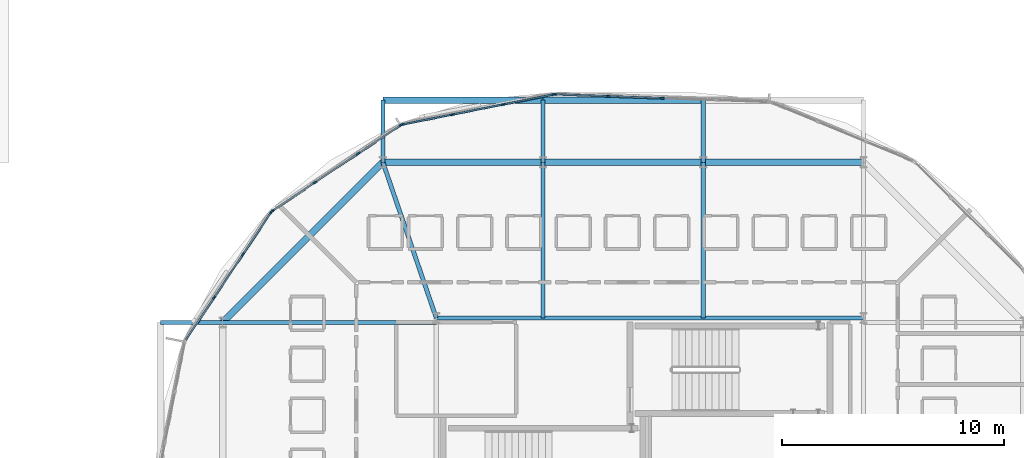
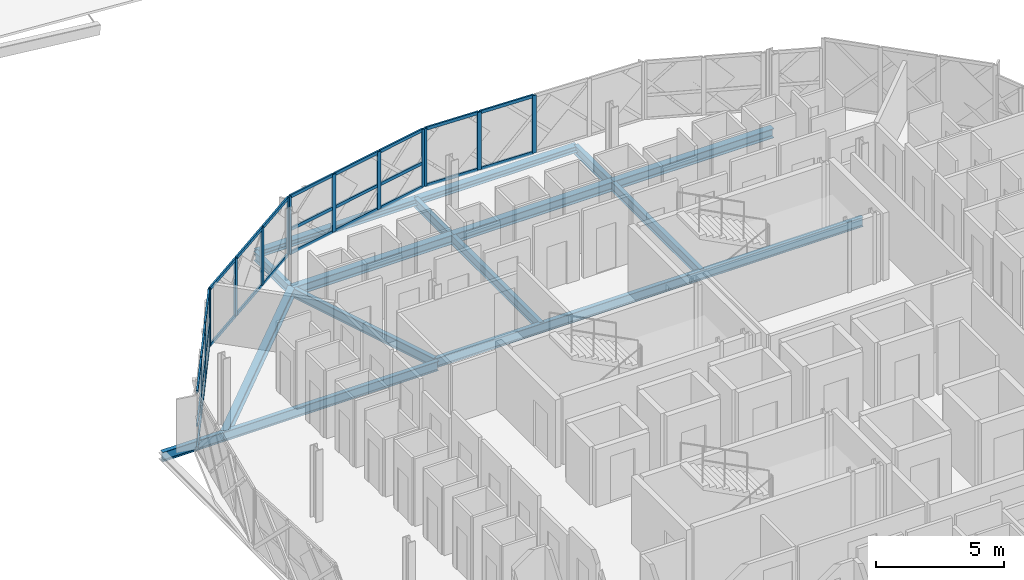
# One storey, part 13 of 40: 42 members, 15 beams, 4 elements without a shape of their own.
"""IFC4 building model written with IfcOpenShell, lengths in metres."""

from ifc_helpers import new_model, si_unit, direction, frame, origin, origin_2d, place, context, subcontext, project, spatial, rectangle, i_section, extrude, material, layer, layer_set, material_profile, profile_set, type_object, element, aggregate, save


model = new_model("IFC4")

# Units and contexts
model_context = context("Model", 3, precision=1e-05, world=origin(), true_north=direction((0.0, 1.0)))
body_context = subcontext(model_context, "Body", "Model", "MODEL_VIEW")
ifc_project = project(units=[si_unit("LENGTHUNIT", "METRE"), si_unit("AREAUNIT", "SQUARE_METRE"), si_unit("VOLUMEUNIT", "CUBIC_METRE"), si_unit("PLANEANGLEUNIT", "RADIAN"), si_unit("MASSUNIT", "GRAM", prefix="KILO")], contexts=[model_context])

# Site, building, storey
site_placement = place(None, origin())
site = spatial("IfcSite", under=ifc_project, at=site_placement, CompositionType="ELEMENT")
building_placement = place(site_placement, origin())
building = spatial("IfcBuilding", under=site, at=building_placement, Name="Zevrakil Square Congress Hotel", CompositionType="ELEMENT")
storey_placement = place(building_placement, frame((0.0, 0.0, 18.10009765625)))
storey = spatial("IfcBuildingStorey", under=building, at=storey_placement, Name="L05", CompositionType="ELEMENT", Elevation=18.10009765625)

# Beams
ifc_material_1 = material(Name="Steel S355", Category="steel")
ifc_material_profile_1 = material_profile(ifc_material_1, i_section(OverallWidth=0.300048828125, OverallDepth=0.43994140625, WebThickness=0.011474609375, FlangeThickness=0.02099609375, FilletRadius=0.027099609375, at=origin_2d()), Name="HEA 450")
ifc_profile_set_1 = profile_set([ifc_material_profile_1], Name="Steel S355")
beam_type_1 = type_object("IfcBeamType", Name="BM-HEA450", PredefinedType="BEAM", material=ifc_profile_set_1)
for number, where, z_axis, x_axis, name in (
    (1, (156.0, 45.60009765625, -0.405029296875), (-1.0, 0.0, 0.0), (0.0, -1.0, 0.0), "L05 drum ring girder DRB-09"),
    (2, (148.800048828125, 45.60009765625, -0.405029296875), (-1.0, 0.0, 0.0), (0.0, -1.0, 0.0), "L05 drum ring girder DRB-10"),
):
    element("IfcBeam", number, at=place(storey_placement, frame(where, z_axis=z_axis, x_axis=x_axis)), inside=storey, type_object=beam_type_1, Name=name, PredefinedType="BEAM", context=body_context, shape_type="SweptSolid", body=[
        extrude(i_section(OverallWidth=0.300048828125, OverallDepth=0.43994140625, WebThickness=0.011474609375, FlangeThickness=0.02099609375, FilletRadius=0.027099609375, at=origin_2d()), origin(), (0.0, 0.0, 1.0), 7.199951171875),
    ])
beam_1_placement = place(storey_placement, frame((141.60009765625, 45.60009765625, -0.405029296875), z_axis=(-1.0, 0.0, 0.0), x_axis=(0.0, -1.0, 0.0)))
element("IfcBeam", 3, at=beam_1_placement, inside=storey, type_object=beam_type_1, Name="L05 drum ring girder DRB-11", PredefinedType="BEAM", context=body_context, shape_type="SweptSolid", body=[
    extrude(i_section(OverallWidth=0.300048828125, OverallDepth=0.43994140625, WebThickness=0.011474609375, FlangeThickness=0.02099609375, FilletRadius=0.027099609375, at=origin_2d()), origin(), (0.0, 0.0, 1.0), 7.2001953125),
])
beam_2_placement = place(storey_placement, frame((134.39990234375, 45.60009765625, -0.405029296875), z_axis=(-0.70709479277, -0.7071187694, 0.0), x_axis=(0.7071187694, -0.70709479277, 0.0)))
element("IfcBeam", 4, at=beam_2_placement, inside=storey, type_object=beam_type_1, Name="L05 drum ring girder DRB-12", PredefinedType="BEAM", context=body_context, shape_type="SweptSolid", body=[
    extrude(i_section(OverallWidth=0.300048828125, OverallDepth=0.43994140625, WebThickness=0.011474609375, FlangeThickness=0.02099609375, FilletRadius=0.027099609375, at=origin_2d()), origin(), (0.0, 0.0, 1.0), 10.182373046875),
])
ifc_material_2 = material(Name="Steel S355", Category="steel")
ifc_material_profile_2 = material_profile(ifc_material_2, i_section(OverallWidth=0.18994140625, OverallDepth=0.449951171875, WebThickness=0.009521484375, FlangeThickness=0.0146484375, FilletRadius=0.02099609375, at=origin_2d()), Name="IPE 450")
ifc_profile_set_2 = profile_set([ifc_material_profile_2], Name="Steel S355")
beam_type_2 = type_object("IfcBeamType", Name="BM-IPE450", PredefinedType="BEAM", material=ifc_profile_set_2)
beam_3_placement = place(storey_placement, frame((156.0, 38.60009765625, -0.41015625), z_axis=(-1.0, 0.0, 0.0), x_axis=(0.0, -1.0, 0.0)))
element("IfcBeam", 5, at=beam_3_placement, inside=storey, type_object=beam_type_2, Name="L05 drum core perimeter tie beam DCB-03", PredefinedType="BEAM", context=body_context, shape_type="SweptSolid", body=[
    extrude(i_section(OverallWidth=0.18994140625, OverallDepth=0.449951171875, WebThickness=0.009521484375, FlangeThickness=0.0146484375, FilletRadius=0.02099609375, at=origin_2d()), origin(), (0.0, 0.0, 1.0), 19.199951171875),
])
beam_4_placement = place(storey_placement, frame((148.800048828125, 38.60009765625, -0.41015625), z_axis=(0.0, 1.0, 0.0), x_axis=(-1.0, 0.0, 0.0)))
element("IfcBeam", 6, at=beam_4_placement, inside=storey, type_object=beam_type_2, Name="L05 drum radial floor beam DRI-10", PredefinedType="BEAM", context=body_context, shape_type="SweptSolid", body=[
    extrude(i_section(OverallWidth=0.18994140625, OverallDepth=0.449951171875, WebThickness=0.009521484375, FlangeThickness=0.0146484375, FilletRadius=0.02099609375, at=origin_2d()), origin(), (0.0, 0.0, 1.0), 7.0),
])
beam_5_placement = place(storey_placement, frame((148.800048828125, 45.60009765625, -0.41015625), z_axis=(0.0, 1.0, 0.0), x_axis=(-1.0, 0.0, 0.0)))
element("IfcBeam", 7, at=beam_5_placement, inside=storey, type_object=beam_type_2, Name="L05 drum radial edge cantilever beam DRO-10", PredefinedType="BEAM", context=body_context, shape_type="SweptSolid", body=[
    extrude(i_section(OverallWidth=0.18994140625, OverallDepth=0.449951171875, WebThickness=0.009521484375, FlangeThickness=0.0146484375, FilletRadius=0.02099609375, at=origin_2d()), origin(), (0.0, 0.0, 1.0), 2.79248046875),
])
beam_6_placement = place(storey_placement, frame((141.60009765625, 38.60009765625, -0.41015625), z_axis=(0.0, 1.0, 0.0), x_axis=(-1.0, 0.0, 0.0)))
element("IfcBeam", 8, at=beam_6_placement, inside=storey, type_object=beam_type_2, Name="L05 drum radial floor beam DRI-11", PredefinedType="BEAM", context=body_context, shape_type="SweptSolid", body=[
    extrude(i_section(OverallWidth=0.18994140625, OverallDepth=0.449951171875, WebThickness=0.009521484375, FlangeThickness=0.0146484375, FilletRadius=0.02099609375, at=origin_2d()), origin(), (0.0, 0.0, 1.0), 7.0),
])
beam_7_placement = place(storey_placement, frame((141.60009765625, 45.60009765625, -0.41015625), z_axis=(0.0, 1.0, 0.0), x_axis=(-1.0, 0.0, 0.0)))
element("IfcBeam", 9, at=beam_7_placement, inside=storey, type_object=beam_type_2, Name="L05 drum radial edge cantilever beam DRO-11", PredefinedType="BEAM", context=body_context, shape_type="SweptSolid", body=[
    extrude(i_section(OverallWidth=0.18994140625, OverallDepth=0.449951171875, WebThickness=0.009521484375, FlangeThickness=0.0146484375, FilletRadius=0.02099609375, at=origin_2d()), origin(), (0.0, 0.0, 1.0), 2.79248046875),
])
beam_8_placement = place(storey_placement, frame((136.800048828125, 38.60009765625, -0.41015625), z_axis=(-0.324342037158, 0.945939872789, 0.0), x_axis=(-0.945939872789, -0.324342037158, 0.0)))
element("IfcBeam", 10, at=beam_8_placement, inside=storey, type_object=beam_type_2, Name="L05 drum radial floor beam DRI-12", PredefinedType="BEAM", context=body_context, shape_type="SweptSolid", body=[
    extrude(i_section(OverallWidth=0.18994140625, OverallDepth=0.449951171875, WebThickness=0.009521484375, FlangeThickness=0.0146484375, FilletRadius=0.02099609375, at=origin_2d()), origin(), (0.0, 0.0, 1.0), 7.400146484375),
])
beam_9_placement = place(storey_placement, frame((134.39990234375, 45.60009765625, -0.41015625), z_axis=(0.0, 1.0, 0.0), x_axis=(-1.0, 0.0, 0.0)))
element("IfcBeam", 11, at=beam_9_placement, inside=storey, type_object=beam_type_2, Name="L05 drum radial edge cantilever beam DRO-12", PredefinedType="BEAM", context=body_context, shape_type="SweptSolid", body=[
    extrude(i_section(OverallWidth=0.18994140625, OverallDepth=0.449951171875, WebThickness=0.009521484375, FlangeThickness=0.0146484375, FilletRadius=0.02099609375, at=origin_2d()), origin(), (0.0, 0.0, 1.0), 2.79248046875),
])
beam_10_placement = place(storey_placement, frame((136.800048828125, 38.39990234375, -0.41015625), z_axis=(-1.0, 0.0, 0.0), x_axis=(0.0, -1.0, 0.0)))
element("IfcBeam", 12, at=beam_10_placement, inside=storey, type_object=beam_type_2, Name="L05 drum radial floor beam DRI-13", PredefinedType="BEAM", context=body_context, shape_type="SweptSolid", body=[
    extrude(i_section(OverallWidth=0.18994140625, OverallDepth=0.449951171875, WebThickness=0.009521484375, FlangeThickness=0.0146484375, FilletRadius=0.02099609375, at=origin_2d()), origin(), (0.0, 0.0, 1.0), 9.60009765625),
])
beam_11_placement = place(storey_placement, frame((127.199951171875, 38.39990234375, -0.41015625), z_axis=(-1.0, 0.0, 0.0), x_axis=(0.0, -1.0, 0.0)))
element("IfcBeam", 13, at=beam_11_placement, inside=storey, type_object=beam_type_2, Name="L05 drum radial edge cantilever beam DRO-13", PredefinedType="BEAM", context=body_context, shape_type="SweptSolid", body=[
    extrude(i_section(OverallWidth=0.18994140625, OverallDepth=0.449951171875, WebThickness=0.009521484375, FlangeThickness=0.0146484375, FilletRadius=0.02099609375, at=origin_2d()), origin(), (0.0, 0.0, 1.0), 2.79248046875),
])

# Curtain wall, members
ifc_material_3 = material(Name="Aluminium Anodised Bronze", Category="aluminium")
ifc_layer_1 = layer(ifc_material_3, 0.179931640625)
ifc_layer_set_1 = layer_set([ifc_layer_1], Name="Aluminium Anodised Bronze")
curtain_wall_type_1 = type_object("IfcCurtainWallType", Name="CW-L05-900", PredefinedType="USERDEFINED", material=ifc_layer_set_1)
curtain_wall_1_placement = place(storey_placement, origin())
curtain_wall_1 = element("IfcCurtainWall", 14, at=curtain_wall_1_placement, inside=storey, type_object=curtain_wall_type_1, Name="L05 diamond curtain wall CW-L05-0191", ObjectType="GLAZED CURTAIN WALL", PredefinedType="USERDEFINED")
ifc_material_4 = material(Name="Aluminium Anodised Bronze", Category="aluminium")
ifc_material_profile_3 = material_profile(ifc_material_4, rectangle(XDim=0.074951171875, YDim=0.14990234375, at=origin_2d()), Name="ALU 75x150")
ifc_profile_set_3 = profile_set([ifc_material_profile_3], Name="Aluminium Anodised Bronze")
member_type_1 = type_object("IfcMemberType", Name="CWM-ALU75x150", PredefinedType="USERDEFINED", material=ifc_profile_set_3)
member_1_placement = place(storey_placement, frame((146.92138671875, 48.48095703125, 0.02978515625), z_axis=(-0.999366136322, 0.035599516472, 0.0), x_axis=(-0.035599516472, -0.999366136322, 0.0)))
member_1 = element("IfcMember", 15, at=member_1_placement, type_object=member_type_1, Name="CW-60 transom 3.1", ObjectType="TRANSOM", PredefinedType="USERDEFINED", context=body_context, shape_type="SweptSolid", body=[
    extrude(rectangle(XDim=0.074951171875, YDim=0.14990234375, at=origin_2d()), origin(), (0.0, 0.0, 1.0), 2.365966796875),
])
member_2_placement = place(storey_placement, frame((146.92138671875, 48.48095703125, 2.71484375), z_axis=(-0.999366136322, 0.035599516472, 0.0), x_axis=(-0.035599516472, -0.999366136322, 0.0)))
member_2 = element("IfcMember", 16, at=member_2_placement, type_object=member_type_1, Name="CW-60 transom 3.2", ObjectType="TRANSOM", PredefinedType="USERDEFINED", context=body_context, shape_type="SweptSolid", body=[
    extrude(rectangle(XDim=0.074951171875, YDim=0.14990234375, at=origin_2d()), origin(), (0.0, 0.0, 1.0), 2.365966796875),
])
member_3_placement = place(storey_placement, frame((144.4970703125, 48.5673828125, 0.02978515625), z_axis=(-0.999368565899, 0.035531246722, 0.0), x_axis=(-0.035531246722, -0.999368565899, 0.0)))
member_3 = element("IfcMember", 17, at=member_3_placement, type_object=member_type_1, Name="CW-60 transom 4.1", ObjectType="TRANSOM", PredefinedType="USERDEFINED", context=body_context, shape_type="SweptSolid", body=[
    extrude(rectangle(XDim=0.074951171875, YDim=0.14990234375, at=origin_2d()), origin(), (0.0, 0.0, 1.0), 2.336181640625),
])
member_4_placement = place(storey_placement, frame((144.4970703125, 48.5673828125, 2.71484375), z_axis=(-0.999368565899, 0.035531246722, 0.0), x_axis=(-0.035531246722, -0.999368565899, 0.0)))
member_4 = element("IfcMember", 18, at=member_4_placement, type_object=member_type_1, Name="CW-60 transom 4.2", ObjectType="TRANSOM", PredefinedType="USERDEFINED", context=body_context, shape_type="SweptSolid", body=[
    extrude(rectangle(XDim=0.074951171875, YDim=0.14990234375, at=origin_2d()), origin(), (0.0, 0.0, 1.0), 2.336181640625),
])

ifc_material_5 = material(Name="Aluminium Anodised Bronze", Category="aluminium")
ifc_layer_2 = layer(ifc_material_5, 0.179931640625)
ifc_layer_set_2 = layer_set([ifc_layer_2], Name="Aluminium Anodised Bronze")
curtain_wall_type_2 = type_object("IfcCurtainWallType", Name="CW-L05-720", PredefinedType="USERDEFINED", material=ifc_layer_set_2)
curtain_wall_2_placement = place(storey_placement, origin())
curtain_wall_2 = element("IfcCurtainWall", 19, at=curtain_wall_2_placement, inside=storey, type_object=curtain_wall_type_2, Name="L05 diamond curtain wall CW-L05-0192", ObjectType="GLAZED CURTAIN WALL", PredefinedType="USERDEFINED")
member_5_placement = place(storey_placement, frame((142.043701171875, 48.640869140625, 0.02978515625), z_axis=(-0.98078922397, -0.195070495322, 0.0), x_axis=(0.195070495322, -0.98078922397, 0.0)))
member_5 = element("IfcMember", 20, at=member_5_placement, type_object=member_type_1, Name="CW-58 transom 1.1", ObjectType="TRANSOM", PredefinedType="USERDEFINED", context=body_context, shape_type="SweptSolid", body=[
    extrude(rectangle(XDim=0.074951171875, YDim=0.14990234375, at=origin_2d()), origin(), (0.0, 0.0, 1.0), 2.245361328125),
])
member_6_placement = place(storey_placement, frame((142.043701171875, 48.640869140625, 1.15283203125), z_axis=(-0.98078922397, -0.195070495322, 0.0), x_axis=(0.195070495322, -0.98078922397, 0.0)))
member_6 = element("IfcMember", 21, at=member_6_placement, type_object=member_type_1, Name="CW-58 transom 1.2", ObjectType="TRANSOM", PredefinedType="USERDEFINED", context=body_context, shape_type="SweptSolid", body=[
    extrude(rectangle(XDim=0.074951171875, YDim=0.14990234375, at=origin_2d()), origin(), (0.0, 0.0, 1.0), 2.245361328125),
])
member_7_placement = place(storey_placement, frame((142.043701171875, 48.640869140625, 2.71484375), z_axis=(-0.98078922397, -0.195070495322, 0.0), x_axis=(0.195070495322, -0.98078922397, 0.0)))
member_7 = element("IfcMember", 22, at=member_7_placement, type_object=member_type_1, Name="CW-58 transom 1.3", ObjectType="TRANSOM", PredefinedType="USERDEFINED", context=body_context, shape_type="SweptSolid", body=[
    extrude(rectangle(XDim=0.074951171875, YDim=0.14990234375, at=origin_2d()), origin(), (0.0, 0.0, 1.0), 2.245361328125),
])
member_8_placement = place(storey_placement, frame((139.78271484375, 48.191162109375, 0.02978515625), z_axis=(-0.980786492568, -0.195084227953, 0.0), x_axis=(0.195084227953, -0.980786492568, 0.0)))
member_8 = element("IfcMember", 23, at=member_8_placement, type_object=member_type_1, Name="CW-58 transom 2.1", ObjectType="TRANSOM", PredefinedType="USERDEFINED", context=body_context, shape_type="SweptSolid", body=[
    extrude(rectangle(XDim=0.074951171875, YDim=0.14990234375, at=origin_2d()), origin(), (0.0, 0.0, 1.0), 2.275146484375),
])
member_9_placement = place(storey_placement, frame((139.78271484375, 48.191162109375, 1.15283203125), z_axis=(-0.980786492568, -0.195084227953, 0.0), x_axis=(0.195084227953, -0.980786492568, 0.0)))
member_9 = element("IfcMember", 24, at=member_9_placement, type_object=member_type_1, Name="CW-58 transom 2.2", ObjectType="TRANSOM", PredefinedType="USERDEFINED", context=body_context, shape_type="SweptSolid", body=[
    extrude(rectangle(XDim=0.074951171875, YDim=0.14990234375, at=origin_2d()), origin(), (0.0, 0.0, 1.0), 2.275146484375),
])
member_10_placement = place(storey_placement, frame((139.78271484375, 48.191162109375, 2.71484375), z_axis=(-0.980786492568, -0.195084227953, 0.0), x_axis=(0.195084227953, -0.980786492568, 0.0)))
member_10 = element("IfcMember", 25, at=member_10_placement, type_object=member_type_1, Name="CW-58 transom 2.3", ObjectType="TRANSOM", PredefinedType="USERDEFINED", context=body_context, shape_type="SweptSolid", body=[
    extrude(rectangle(XDim=0.074951171875, YDim=0.14990234375, at=origin_2d()), origin(), (0.0, 0.0, 1.0), 2.275146484375),
])
member_11_placement = place(storey_placement, frame((137.492431640625, 47.735595703125, 0.02978515625), z_axis=(-0.98078922397, -0.195070495322, 0.0), x_axis=(0.195070495322, -0.98078922397, 0.0)))
member_11 = element("IfcMember", 26, at=member_11_placement, type_object=member_type_1, Name="CW-58 transom 3.1", ObjectType="TRANSOM", PredefinedType="USERDEFINED", context=body_context, shape_type="SweptSolid", body=[
    extrude(rectangle(XDim=0.074951171875, YDim=0.14990234375, at=origin_2d()), origin(), (0.0, 0.0, 1.0), 2.245361328125),
])
member_12_placement = place(storey_placement, frame((137.492431640625, 47.735595703125, 1.15283203125), z_axis=(-0.98078922397, -0.195070495322, 0.0), x_axis=(0.195070495322, -0.98078922397, 0.0)))
member_12 = element("IfcMember", 27, at=member_12_placement, type_object=member_type_1, Name="CW-58 transom 3.2", ObjectType="TRANSOM", PredefinedType="USERDEFINED", context=body_context, shape_type="SweptSolid", body=[
    extrude(rectangle(XDim=0.074951171875, YDim=0.14990234375, at=origin_2d()), origin(), (0.0, 0.0, 1.0), 2.245361328125),
])
member_13_placement = place(storey_placement, frame((137.492431640625, 47.735595703125, 2.71484375), z_axis=(-0.98078922397, -0.195070495322, 0.0), x_axis=(0.195070495322, -0.98078922397, 0.0)))
member_13 = element("IfcMember", 28, at=member_13_placement, type_object=member_type_1, Name="CW-58 transom 3.3", ObjectType="TRANSOM", PredefinedType="USERDEFINED", context=body_context, shape_type="SweptSolid", body=[
    extrude(rectangle(XDim=0.074951171875, YDim=0.14990234375, at=origin_2d()), origin(), (0.0, 0.0, 1.0), 2.245361328125),
])

curtain_wall_3_placement = place(storey_placement, origin())
curtain_wall_3 = element("IfcCurtainWall", 29, at=curtain_wall_3_placement, inside=storey, type_object=curtain_wall_type_2, Name="L05 diamond curtain wall CW-L05-0193", ObjectType="GLAZED CURTAIN WALL", PredefinedType="USERDEFINED")
member_14_placement = place(storey_placement, frame((135.181396484375, 47.25244140625, 0.02978515625), z_axis=(-0.831464280743, -0.555578212179, 0.0), x_axis=(0.555578212179, -0.831464280743, 0.0)))
member_14 = element("IfcMember", 30, at=member_14_placement, type_object=member_type_1, Name="CW-58 transom 1.1", ObjectType="TRANSOM", PredefinedType="USERDEFINED", context=body_context, shape_type="SweptSolid", body=[
    extrude(rectangle(XDim=0.074951171875, YDim=0.14990234375, at=origin_2d()), origin(), (0.0, 0.0, 1.0), 2.2451171875),
])
member_15_placement = place(storey_placement, frame((135.181396484375, 47.25244140625, 2.71484375), z_axis=(-0.831464280743, -0.555578212179, 0.0), x_axis=(0.555578212179, -0.831464280743, 0.0)))
member_15 = element("IfcMember", 31, at=member_15_placement, type_object=member_type_1, Name="CW-58 transom 1.2", ObjectType="TRANSOM", PredefinedType="USERDEFINED", context=body_context, shape_type="SweptSolid", body=[
    extrude(rectangle(XDim=0.074951171875, YDim=0.14990234375, at=origin_2d()), origin(), (0.0, 0.0, 1.0), 2.2451171875),
])
member_16_placement = place(storey_placement, frame((133.264892578125, 45.9716796875, 0.02978515625), z_axis=(-0.831505114703, -0.555517096247, 0.0), x_axis=(0.555517096247, -0.831505114703, 0.0)))
member_16 = element("IfcMember", 32, at=member_16_placement, type_object=member_type_1, Name="CW-58 transom 2.1", ObjectType="TRANSOM", PredefinedType="USERDEFINED", context=body_context, shape_type="SweptSolid", body=[
    extrude(rectangle(XDim=0.074951171875, YDim=0.14990234375, at=origin_2d()), origin(), (0.0, 0.0, 1.0), 2.275146484375),
])
member_17_placement = place(storey_placement, frame((133.264892578125, 45.9716796875, 2.71484375), z_axis=(-0.831505114703, -0.555517096247, 0.0), x_axis=(0.555517096247, -0.831505114703, 0.0)))
member_17 = element("IfcMember", 33, at=member_17_placement, type_object=member_type_1, Name="CW-58 transom 2.2", ObjectType="TRANSOM", PredefinedType="USERDEFINED", context=body_context, shape_type="SweptSolid", body=[
    extrude(rectangle(XDim=0.074951171875, YDim=0.14990234375, at=origin_2d()), origin(), (0.0, 0.0, 1.0), 2.275146484375),
])
member_18_placement = place(storey_placement, frame((131.3232421875, 44.67431640625, 0.02978515625), z_axis=(-0.831497842201, -0.555527981667, 0.0), x_axis=(0.555527981667, -0.831497842201, 0.0)))
member_18 = element("IfcMember", 34, at=member_18_placement, type_object=member_type_1, Name="CW-58 transom 3.1", ObjectType="TRANSOM", PredefinedType="USERDEFINED", context=body_context, shape_type="SweptSolid", body=[
    extrude(rectangle(XDim=0.074951171875, YDim=0.14990234375, at=origin_2d()), origin(), (0.0, 0.0, 1.0), 2.245361328125),
])
member_19_placement = place(storey_placement, frame((131.3232421875, 44.67431640625, 2.71484375), z_axis=(-0.831497842201, -0.555527981667, 0.0), x_axis=(0.555527981667, -0.831497842201, 0.0)))
member_19 = element("IfcMember", 35, at=member_19_placement, type_object=member_type_1, Name="CW-58 transom 3.2", ObjectType="TRANSOM", PredefinedType="USERDEFINED", context=body_context, shape_type="SweptSolid", body=[
    extrude(rectangle(XDim=0.074951171875, YDim=0.14990234375, at=origin_2d()), origin(), (0.0, 0.0, 1.0), 2.245361328125),
])

curtain_wall_4_placement = place(storey_placement, origin())
curtain_wall_4 = element("IfcCurtainWall", 36, at=curtain_wall_4_placement, inside=storey, type_object=curtain_wall_type_2, Name="L05 diamond curtain wall CW-L05-0194", ObjectType="GLAZED CURTAIN WALL", PredefinedType="USERDEFINED")
member_20_placement = place(storey_placement, frame((129.373046875, 43.34375, 0.02978515625), z_axis=(-0.555527981667, -0.831497842201, 0.0), x_axis=(0.831497842201, -0.555527981667, 0.0)))
member_20 = element("IfcMember", 37, at=member_20_placement, type_object=member_type_1, Name="CW-58 transom 1.1", ObjectType="TRANSOM", PredefinedType="USERDEFINED", context=body_context, shape_type="SweptSolid", body=[
    extrude(rectangle(XDim=0.074951171875, YDim=0.14990234375, at=origin_2d()), origin(), (0.0, 0.0, 1.0), 2.245361328125),
])
member_21_placement = place(storey_placement, frame((129.373046875, 43.34375, 1.15283203125), z_axis=(-0.555527981667, -0.831497842201, 0.0), x_axis=(0.831497842201, -0.555527981667, 0.0)))
member_21 = element("IfcMember", 38, at=member_21_placement, type_object=member_type_1, Name="CW-58 transom 1.2", ObjectType="TRANSOM", PredefinedType="USERDEFINED", context=body_context, shape_type="SweptSolid", body=[
    extrude(rectangle(XDim=0.074951171875, YDim=0.14990234375, at=origin_2d()), origin(), (0.0, 0.0, 1.0), 2.245361328125),
])
member_22_placement = place(storey_placement, frame((129.373046875, 43.34375, 2.71484375), z_axis=(-0.555527981667, -0.831497842201, 0.0), x_axis=(0.831497842201, -0.555527981667, 0.0)))
member_22 = element("IfcMember", 39, at=member_22_placement, type_object=member_type_1, Name="CW-58 transom 1.3", ObjectType="TRANSOM", PredefinedType="USERDEFINED", context=body_context, shape_type="SweptSolid", body=[
    extrude(rectangle(XDim=0.074951171875, YDim=0.14990234375, at=origin_2d()), origin(), (0.0, 0.0, 1.0), 2.245361328125),
])
member_23_placement = place(storey_placement, frame((128.09228515625, 41.427001953125, 0.02978515625), z_axis=(-0.555517096247, -0.831505114703, 0.0), x_axis=(0.831505114703, -0.555517096247, 0.0)))
member_23 = element("IfcMember", 40, at=member_23_placement, type_object=member_type_1, Name="CW-58 transom 2.1", ObjectType="TRANSOM", PredefinedType="USERDEFINED", context=body_context, shape_type="SweptSolid", body=[
    extrude(rectangle(XDim=0.074951171875, YDim=0.14990234375, at=origin_2d()), origin(), (0.0, 0.0, 1.0), 2.275146484375),
])
member_24_placement = place(storey_placement, frame((128.09228515625, 41.427001953125, 1.15283203125), z_axis=(-0.555517096247, -0.831505114703, 0.0), x_axis=(0.831505114703, -0.555517096247, 0.0)))
member_24 = element("IfcMember", 41, at=member_24_placement, type_object=member_type_1, Name="CW-58 transom 2.2", ObjectType="TRANSOM", PredefinedType="USERDEFINED", context=body_context, shape_type="SweptSolid", body=[
    extrude(rectangle(XDim=0.074951171875, YDim=0.14990234375, at=origin_2d()), origin(), (0.0, 0.0, 1.0), 2.275146484375),
])
member_25_placement = place(storey_placement, frame((128.09228515625, 41.427001953125, 2.71484375), z_axis=(-0.555517096247, -0.831505114703, 0.0), x_axis=(0.831505114703, -0.555517096247, 0.0)))
member_25 = element("IfcMember", 42, at=member_25_placement, type_object=member_type_1, Name="CW-58 transom 2.3", ObjectType="TRANSOM", PredefinedType="USERDEFINED", context=body_context, shape_type="SweptSolid", body=[
    extrude(rectangle(XDim=0.074951171875, YDim=0.14990234375, at=origin_2d()), origin(), (0.0, 0.0, 1.0), 2.275146484375),
])
member_26_placement = place(storey_placement, frame((126.794921875, 39.4853515625, 0.02978515625), z_axis=(-0.555527981667, -0.831497842201, 0.0), x_axis=(0.831497842201, -0.555527981667, 0.0)))
member_26 = element("IfcMember", 43, at=member_26_placement, type_object=member_type_1, Name="CW-58 transom 3.1", ObjectType="TRANSOM", PredefinedType="USERDEFINED", context=body_context, shape_type="SweptSolid", body=[
    extrude(rectangle(XDim=0.074951171875, YDim=0.14990234375, at=origin_2d()), origin(), (0.0, 0.0, 1.0), 2.245361328125),
])
member_27_placement = place(storey_placement, frame((126.794921875, 39.4853515625, 1.15283203125), z_axis=(-0.555527981667, -0.831497842201, 0.0), x_axis=(0.831497842201, -0.555527981667, 0.0)))
member_27 = element("IfcMember", 44, at=member_27_placement, type_object=member_type_1, Name="CW-58 transom 3.2", ObjectType="TRANSOM", PredefinedType="USERDEFINED", context=body_context, shape_type="SweptSolid", body=[
    extrude(rectangle(XDim=0.074951171875, YDim=0.14990234375, at=origin_2d()), origin(), (0.0, 0.0, 1.0), 2.245361328125),
])
member_28_placement = place(storey_placement, frame((126.794921875, 39.4853515625, 2.71484375), z_axis=(-0.555527981667, -0.831497842201, 0.0), x_axis=(0.831497842201, -0.555527981667, 0.0)))
member_28 = element("IfcMember", 45, at=member_28_placement, type_object=member_type_1, Name="CW-58 transom 3.3", ObjectType="TRANSOM", PredefinedType="USERDEFINED", context=body_context, shape_type="SweptSolid", body=[
    extrude(rectangle(XDim=0.074951171875, YDim=0.14990234375, at=origin_2d()), origin(), (0.0, 0.0, 1.0), 2.245361328125),
])

# Member
ifc_material_6 = material(Name="Aluminium Anodised Bronze", Category="aluminium")
ifc_material_profile_4 = material_profile(ifc_material_6, rectangle(XDim=0.074951171875, YDim=0.179931640625, at=origin_2d()), Name="ALU 75x180")
ifc_profile_set_4 = profile_set([ifc_material_profile_4], Name="Aluminium Anodised Bronze")
member_type_2 = type_object("IfcMemberType", Name="CWM-ALU75x180", PredefinedType="MULLION", material=ifc_profile_set_4)
member_29_placement = place(storey_placement, frame((146.951416015625, 48.47998046875, 0.0), z_axis=(0.0, 0.0, 1.0), x_axis=(-0.035552588564, -0.999367806889, 0.0)))
member_29 = element("IfcMember", 46, at=member_29_placement, type_object=member_type_2, Name="CW-60 mullion 3", PredefinedType="MULLION", context=body_context, shape_type="SweptSolid", body=[
    extrude(rectangle(XDim=0.074951171875, YDim=0.179931640625, at=origin_2d()), origin(), (0.0, 0.0, 1.0), 2.744873046875),
])

member_30_placement = place(storey_placement, frame((144.52685546875, 48.566162109375, 0.0), z_axis=(0.0, 0.0, 1.0), x_axis=(-0.035552588564, -0.999367806889, 0.0)))
member_30 = element("IfcMember", 47, at=member_30_placement, type_object=member_type_2, Name="CW-60 mullion 4", PredefinedType="MULLION", context=body_context, shape_type="SweptSolid", body=[
    extrude(rectangle(XDim=0.074951171875, YDim=0.179931640625, at=origin_2d()), origin(), (0.0, 0.0, 1.0), 2.744873046875),
])

member_31_placement = place(storey_placement, frame((142.132568359375, 48.6513671875, 0.0), z_axis=(0.0, 0.0, 1.0), x_axis=(-0.035552588564, -0.999367806889, 0.0)))
member_31 = element("IfcMember", 48, at=member_31_placement, type_object=member_type_2, Name="CW-60 mullion 5", PredefinedType="MULLION", context=body_context, shape_type="SweptSolid", body=[
    extrude(rectangle(XDim=0.074951171875, YDim=0.179931640625, at=origin_2d()), origin(), (0.0, 0.0, 1.0), 2.744873046875),
])

aggregate(curtain_wall_1, [member_29, member_30, member_31, member_1, member_2, member_3, member_4])

member_32_placement = place(storey_placement, frame((142.072998046875, 48.646728515625, 0.0), z_axis=(0.0, 0.0, 1.0), x_axis=(0.195083900459, -0.980786557708, 0.0)))
member_32 = element("IfcMember", 49, at=member_32_placement, type_object=member_type_2, Name="CW-58 mullion 1", PredefinedType="MULLION", context=body_context, shape_type="SweptSolid", body=[
    extrude(rectangle(XDim=0.074951171875, YDim=0.179931640625, at=origin_2d()), origin(), (0.0, 0.0, 1.0), 2.744873046875),
])

member_33_placement = place(storey_placement, frame((139.81201171875, 48.197021484375, 0.0), z_axis=(0.0, 0.0, 1.0), x_axis=(0.195083900459, -0.980786557708, 0.0)))
member_33 = element("IfcMember", 50, at=member_33_placement, type_object=member_type_2, Name="CW-58 mullion 2", PredefinedType="MULLION", context=body_context, shape_type="SweptSolid", body=[
    extrude(rectangle(XDim=0.074951171875, YDim=0.179931640625, at=origin_2d()), origin(), (0.0, 0.0, 1.0), 2.744873046875),
])

member_34_placement = place(storey_placement, frame((137.521728515625, 47.741455078125, 0.0), z_axis=(0.0, 0.0, 1.0), x_axis=(0.195083900459, -0.980786557708, 0.0)))
member_34 = element("IfcMember", 51, at=member_34_placement, type_object=member_type_2, Name="CW-58 mullion 3", PredefinedType="MULLION", context=body_context, shape_type="SweptSolid", body=[
    extrude(rectangle(XDim=0.074951171875, YDim=0.179931640625, at=origin_2d()), origin(), (0.0, 0.0, 1.0), 2.744873046875),
])

member_35_placement = place(storey_placement, frame((135.2607421875, 47.291748046875, 0.0), z_axis=(0.0, 0.0, 1.0), x_axis=(0.195083900459, -0.980786557708, 0.0)))
member_35 = element("IfcMember", 52, at=member_35_placement, type_object=member_type_2, Name="CW-58 mullion 4", PredefinedType="MULLION", context=body_context, shape_type="SweptSolid", body=[
    extrude(rectangle(XDim=0.074951171875, YDim=0.179931640625, at=origin_2d()), origin(), (0.0, 0.0, 1.0), 2.744873046875),
])

aggregate(curtain_wall_2, [member_32, member_33, member_34, member_35, member_5, member_6, member_7, member_8, member_9, member_10, member_11, member_12, member_13])

member_36_placement = place(storey_placement, frame((135.20654296875, 47.26904296875, 0.0), z_axis=(0.0, 0.0, 1.0), x_axis=(0.555576098128, -0.831465693332, 0.0)))
member_36 = element("IfcMember", 53, at=member_36_placement, type_object=member_type_2, Name="CW-58 mullion 1", PredefinedType="MULLION", context=body_context, shape_type="SweptSolid", body=[
    extrude(rectangle(XDim=0.074951171875, YDim=0.179931640625, at=origin_2d()), origin(), (0.0, 0.0, 1.0), 2.744873046875),
])

member_37_placement = place(storey_placement, frame((133.289794921875, 45.98828125, 0.0), z_axis=(0.0, 0.0, 1.0), x_axis=(0.555576098128, -0.831465693332, 0.0)))
member_37 = element("IfcMember", 54, at=member_37_placement, type_object=member_type_2, Name="CW-58 mullion 2", PredefinedType="MULLION", context=body_context, shape_type="SweptSolid", body=[
    extrude(rectangle(XDim=0.074951171875, YDim=0.179931640625, at=origin_2d()), origin(), (0.0, 0.0, 1.0), 2.744873046875),
])

member_38_placement = place(storey_placement, frame((131.34814453125, 44.69091796875, 0.0), z_axis=(0.0, 0.0, 1.0), x_axis=(0.555576098128, -0.831465693332, 0.0)))
member_38 = element("IfcMember", 55, at=member_38_placement, type_object=member_type_2, Name="CW-58 mullion 3", PredefinedType="MULLION", context=body_context, shape_type="SweptSolid", body=[
    extrude(rectangle(XDim=0.074951171875, YDim=0.179931640625, at=origin_2d()), origin(), (0.0, 0.0, 1.0), 2.744873046875),
])

member_39_placement = place(storey_placement, frame((129.431396484375, 43.41015625, 0.0), z_axis=(0.0, 0.0, 1.0), x_axis=(0.555576098128, -0.831465693332, 0.0)))
member_39 = element("IfcMember", 56, at=member_39_placement, type_object=member_type_2, Name="CW-58 mullion 4", PredefinedType="MULLION", context=body_context, shape_type="SweptSolid", body=[
    extrude(rectangle(XDim=0.074951171875, YDim=0.179931640625, at=origin_2d()), origin(), (0.0, 0.0, 1.0), 2.744873046875),
])

aggregate(curtain_wall_3, [member_36, member_37, member_38, member_39, member_14, member_15, member_16, member_17, member_18, member_19])

member_40_placement = place(storey_placement, frame((129.3896484375, 43.36865234375, 0.0), z_axis=(0.0, 0.0, 1.0), x_axis=(0.831465693332, -0.555576098128, 0.0)))
member_40 = element("IfcMember", 57, at=member_40_placement, type_object=member_type_2, Name="CW-58 mullion 1", PredefinedType="MULLION", context=body_context, shape_type="SweptSolid", body=[
    extrude(rectangle(XDim=0.074951171875, YDim=0.179931640625, at=origin_2d()), origin(), (0.0, 0.0, 1.0), 2.744873046875),
])

member_41_placement = place(storey_placement, frame((128.10888671875, 41.451904296875, 0.0), z_axis=(0.0, 0.0, 1.0), x_axis=(0.831465693332, -0.555576098128, 0.0)))
member_41 = element("IfcMember", 58, at=member_41_placement, type_object=member_type_2, Name="CW-58 mullion 2", PredefinedType="MULLION", context=body_context, shape_type="SweptSolid", body=[
    extrude(rectangle(XDim=0.074951171875, YDim=0.179931640625, at=origin_2d()), origin(), (0.0, 0.0, 1.0), 2.744873046875),
])

member_42_placement = place(storey_placement, frame((126.8115234375, 39.51025390625, 0.0), z_axis=(0.0, 0.0, 1.0), x_axis=(0.831465693332, -0.555576098128, 0.0)))
member_42 = element("IfcMember", 59, at=member_42_placement, type_object=member_type_2, Name="CW-58 mullion 3", PredefinedType="MULLION", context=body_context, shape_type="SweptSolid", body=[
    extrude(rectangle(XDim=0.074951171875, YDim=0.179931640625, at=origin_2d()), origin(), (0.0, 0.0, 1.0), 2.744873046875),
])

aggregate(curtain_wall_4, [member_40, member_41, member_42, member_20, member_21, member_22, member_23, member_24, member_25, member_26, member_27, member_28])

# Beams
ifc_material_7 = material(Name="Steel S355", Category="steel")
ifc_material_profile_5 = material_profile(ifc_material_7, i_section(OverallWidth=0.300048828125, OverallDepth=0.300048828125, WebThickness=0.010986328125, FlangeThickness=0.01904296875, FilletRadius=0.027099609375, at=origin_2d()), Name="HEB 300")
ifc_profile_set_5 = profile_set([ifc_material_profile_5], Name="Steel S355")
beam_type_3 = type_object("IfcBeamType", Name="SPD-RHS250", PredefinedType="SPANDREL", material=ifc_profile_set_5)
beam_12_placement = place(storey_placement, frame((148.800048828125, 48.392578125, -0.335205078125), z_axis=(-1.0, 0.0, 0.0), x_axis=(0.0, -1.0, 0.0)))
element("IfcBeam", 60, at=beam_12_placement, inside=storey, type_object=beam_type_3, Name="L05 drum edge spandrel beam DSP-09", PredefinedType="SPANDREL", context=body_context, shape_type="SweptSolid", body=[
    extrude(i_section(OverallWidth=0.300048828125, OverallDepth=0.300048828125, WebThickness=0.010986328125, FlangeThickness=0.01904296875, FilletRadius=0.027099609375, at=origin_2d()), origin(), (0.0, 0.0, 1.0), 7.199951171875),
])
beam_13_placement = place(storey_placement, frame((141.60009765625, 48.392578125, -0.335205078125), z_axis=(-1.0, 0.0, 0.0), x_axis=(0.0, -1.0, 0.0)))
element("IfcBeam", 61, at=beam_13_placement, inside=storey, type_object=beam_type_3, Name="L05 drum edge spandrel beam DSP-10", PredefinedType="SPANDREL", context=body_context, shape_type="SweptSolid", body=[
    extrude(i_section(OverallWidth=0.300048828125, OverallDepth=0.300048828125, WebThickness=0.010986328125, FlangeThickness=0.01904296875, FilletRadius=0.027099609375, at=origin_2d()), origin(), (0.0, 0.0, 1.0), 7.2001953125),
])

save(model, "model.ifc")
